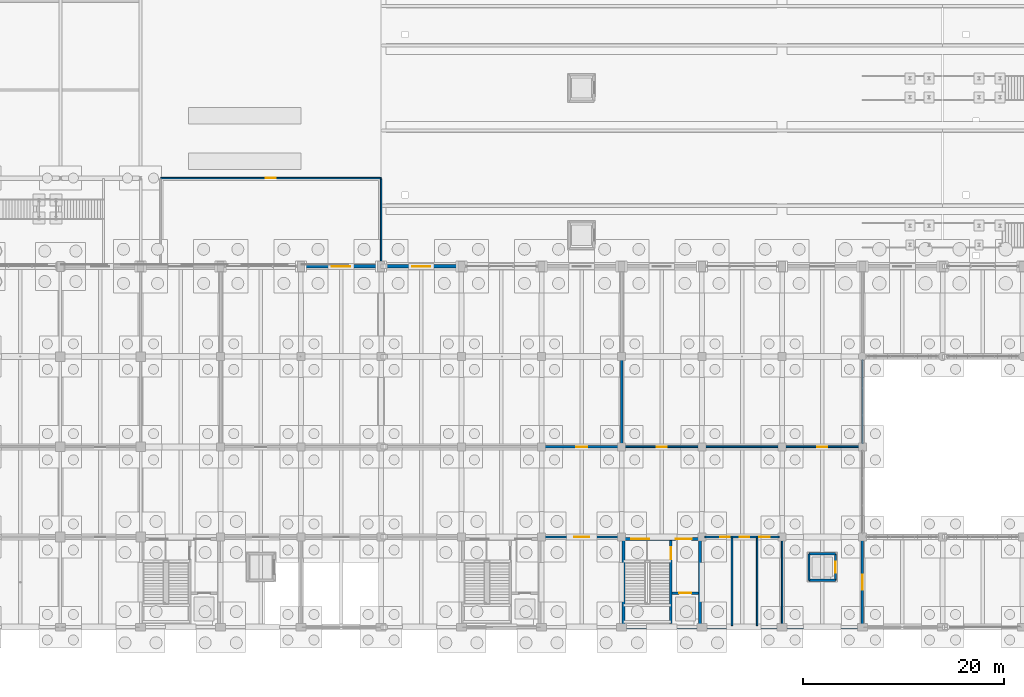
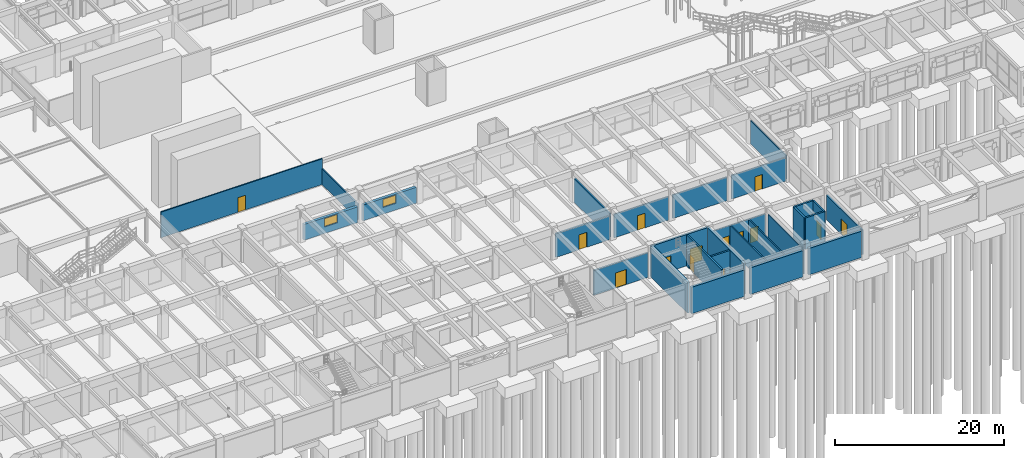
# One storey, part 103 of 147: 30 walls, 14 doors, 2 windows, 16 openings.
"""IFC4 building model written with IfcOpenShell, lengths in metres."""

from ifc_helpers import new_model, si_unit, direction, frame, frame_2d, origin, place, context, subcontext, project, spatial, rectangle, extrude, material, layer, layer_set, type_object, element, fill, save


model = new_model("IFC4")

# Units and contexts
model_context = context("Model", 3, precision=1e-05, world=origin(), true_north=direction((0.0, 1.0)))
body_context = subcontext(model_context, "Body", "Model", "MODEL_VIEW")
ifc_project = project(units=[si_unit("LENGTHUNIT", "METRE"), si_unit("AREAUNIT", "SQUARE_METRE"), si_unit("VOLUMEUNIT", "CUBIC_METRE"), si_unit("PLANEANGLEUNIT", "RADIAN"), si_unit("MASSUNIT", "GRAM", prefix="KILO")], contexts=[model_context])

# Site, building, storey
site_placement = place(None, origin())
site = spatial("IfcSite", under=ifc_project, at=site_placement, CompositionType="ELEMENT")
building_placement = place(site_placement, origin())
building = spatial("IfcBuilding", under=site, at=building_placement, Name="Varnabhumi Central Station", CompositionType="ELEMENT")
storey_placement = place(building_placement, origin())
storey = spatial("IfcBuildingStorey", under=building, at=storey_placement, Name="L00", CompositionType="ELEMENT", Elevation=0.0)

# Wall, opening, door
ifc_material_1 = material(Name="Autoclaved aerated blockwork masonry", Category="masonry")
ifc_layer_1 = layer(ifc_material_1, 0.219970703125, Name="Autoclaved aerated blockwork masonry", Category="masonry")
ifc_layer_set_1 = layer_set([ifc_layer_1], Name="Autoclaved aerated blockwork masonry")
wall_type_1 = type_object("IfcWallType", Name="WAL-COMP-AAC-220", PredefinedType="SOLIDWALL", material=ifc_layer_set_1)
wall_1_placement = place(storey_placement, frame((80.300048828125, 18.0, 0.0), z_axis=(0.0, 0.0, 1.0), x_axis=(1.0, 0.0, 0.0)))
wall_1 = element("IfcWall", 1, at=wall_1_placement, inside=storey, type_object=wall_type_1, Name="Inbound and Outbound Parcel Store Corridor Partition 5", PredefinedType="SOLIDWALL", context=body_context, shape_type="SweptSolid", body=[
    extrude(rectangle(XDim=7.39990234375, YDim=0.219970703125, at=frame_2d((3.699951171875, 0.0))), origin(), (0.0, 0.0, 1.0), 3.409912109375),
])
opening_1_placement = place(wall_1_placement, frame((3.14990234375, 0.0, 0.0)))
opening_1 = element("IfcOpeningElement", 2, at=opening_1_placement, cuts=wall_1, Name="Opening FD-60", PredefinedType="OPENING", context=body_context, shape_type="SweptSolid", body=[
    extrude(rectangle(XDim=1.10009765625, YDim=2.14990234375, at=frame_2d((0.550048828125, 1.074951171875))), frame((0.0, 0.119873046875, 0.0), z_axis=(0.0, -1.0, 0.0), x_axis=(1.0, 0.0, 0.0)), (0.0, 0.0, 1.0), 0.239990234375),
])
ifc_material_2 = material(Name="Intumescent-treated hardwood timber", Category="wood")
door_type_1 = type_object("IfcDoorType", Name="DR-FIRE-60-1100", OperationType="NOTDEFINED", PredefinedType="DOOR", material=ifc_material_2)
door_1_placement = place(opening_1_placement, frame((1.10009765625, 0.0, 0.0), z_axis=(0.0, 0.0, 1.0), x_axis=(-1.0, 0.0, 0.0)))
door_1 = element("IfcDoor", 3, at=door_1_placement, inside=storey, type_object=door_type_1, Name="Inbound and Outbound Parcel Store Door 5", OperationType="SINGLE_SWING_RIGHT", OverallHeight=2.14990234375, OverallWidth=1.10009765625, PredefinedType="DOOR", context=body_context, shape_type="SweptSolid", body=[
    extrude(rectangle(XDim=1.10009765625, YDim=2.14990234375, at=frame_2d((0.550048828125, 1.074951171875))), frame((0.0, 0.02490234375, 0.0), z_axis=(0.0, -1.0, 0.0), x_axis=(1.0, 0.0, 0.0)), (0.0, 0.0, 1.0), 0.050048828125),
])
fill(opening_1, door_1)

# Wall
wall_2_placement = place(storey_placement, frame((88.0, 18.300048828125, 0.0), z_axis=(0.0, 0.0, 1.0), x_axis=(0.0, 1.0, 0.0)))
element("IfcWall", 4, at=wall_2_placement, inside=storey, type_object=wall_type_1, Name="Inbound and Outbound Parcel Store W Partition 1", PredefinedType="SOLIDWALL", context=body_context, shape_type="SweptSolid", body=[
    extrude(rectangle(XDim=8.39990234375, YDim=0.219970703125, at=frame_2d((4.199951171875, 0.0))), origin(), (0.0, 0.0, 1.0), 3.409912109375),
])

# Wall, opening, door
wall_3_placement = place(storey_placement, frame((80.300048828125, 9.0, 0.0), z_axis=(0.0, 0.0, 1.0), x_axis=(1.0, 0.0, 0.0)))
wall_3 = element("IfcWall", 5, at=wall_3_placement, inside=storey, type_object=wall_type_1, Name="Fire and Domestic Water Pump Room Corridor Partition 1", PredefinedType="SOLIDWALL", context=body_context, shape_type="SweptSolid", body=[
    extrude(rectangle(XDim=7.39990234375, YDim=0.219970703125, at=frame_2d((3.699951171875, 0.0))), origin(), (0.0, 0.0, 1.0), 3.56005859375),
])
opening_2_placement = place(wall_3_placement, frame((2.949951171875, 0.0, 0.0)))
opening_2 = element("IfcOpeningElement", 6, at=opening_2_placement, cuts=wall_3, Name="Opening FD-PLT", PredefinedType="OPENING", context=body_context, shape_type="SweptSolid", body=[
    extrude(rectangle(XDim=1.5, YDim=2.199951171875, at=frame_2d((0.75, 1.10009765625))), frame((0.0, 0.119873046875, 0.0), z_axis=(0.0, -1.0, 0.0), x_axis=(1.0, 0.0, 0.0)), (0.0, 0.0, 1.0), 0.239990234375),
])
ifc_material_3 = material(Name="Stainless steel Grade 316", Category="steel")
door_type_2 = type_object("IfcDoorType", Name="DR-PLANT-1500", OperationType="NOTDEFINED", PredefinedType="DOOR", material=ifc_material_3)
door_2_placement = place(opening_2_placement, origin())
door_2 = element("IfcDoor", 7, at=door_2_placement, inside=storey, type_object=door_type_2, Name="Fire and Domestic Water Pump Room Door 1", OperationType="SINGLE_SWING_LEFT", OverallHeight=2.199951171875, OverallWidth=1.5, PredefinedType="DOOR", context=body_context, shape_type="SweptSolid", body=[
    extrude(rectangle(XDim=1.5, YDim=2.199951171875, at=frame_2d((0.75, 1.10009765625))), frame((0.0, 0.02490234375, 0.0), z_axis=(0.0, -1.0, 0.0), x_axis=(1.0, 0.0, 0.0)), (0.0, 0.0, 1.0), 0.050048828125),
])
fill(opening_2, door_2)

wall_4_placement = place(storey_placement, frame((112.0, 0.300048828125, 0.0), z_axis=(0.0, 0.0, 1.0), x_axis=(0.0, 1.0, 0.0)))
wall_4 = element("IfcWall", 8, at=wall_4_placement, inside=storey, type_object=wall_type_1, Name="Rainwater Filtration and STP Plant Room E Partition 1", PredefinedType="SOLIDWALL", context=body_context, shape_type="SweptSolid", body=[
    extrude(rectangle(XDim=8.39990234375, YDim=0.219970703125, at=frame_2d((4.199951171875, 0.0))), origin(), (0.0, 0.0, 1.0), 3.56005859375),
])
opening_3_placement = place(wall_4_placement, frame((3.449951171875, 0.0, 0.0)))
opening_3 = element("IfcOpeningElement", 9, at=opening_3_placement, cuts=wall_4, Name="Opening FD-PLT", PredefinedType="OPENING", context=body_context, shape_type="SweptSolid", body=[
    extrude(rectangle(XDim=1.5, YDim=2.199951171875, at=frame_2d((0.75, 1.10009765625))), frame((0.0, 0.119873046875, 0.0), z_axis=(0.0, -1.0, 0.0), x_axis=(1.0, 0.0, 0.0)), (0.0, 0.0, 1.0), 0.239990234375),
])
door_3_placement = place(opening_3_placement, frame((1.5, 0.0, 0.0), z_axis=(0.0, 0.0, 1.0), x_axis=(-1.0, 0.0, 0.0)))
door_3 = element("IfcDoor", 10, at=door_3_placement, inside=storey, type_object=door_type_2, Name="Rainwater Filtration and STP Plant Room Corridor Access Door", OperationType="DOUBLE_DOOR_SINGLE_SWING", OverallHeight=2.199951171875, OverallWidth=1.5, PredefinedType="DOOR", context=body_context, shape_type="SweptSolid", body=[
    extrude(rectangle(XDim=1.5, YDim=2.199951171875, at=frame_2d((0.75, 1.10009765625))), frame((0.0, 0.02490234375, 0.0), z_axis=(0.0, -1.0, 0.0), x_axis=(1.0, 0.0, 0.0)), (0.0, 0.0, 1.0), 0.050048828125),
])
fill(opening_3, door_3)

# Walls
ifc_material_4 = material(Name="Concrete M40", Category="concrete")
ifc_layer_2 = layer(ifc_material_4, 0.300048828125, Name="Concrete M40", Category="concrete")
ifc_layer_set_2 = layer_set([ifc_layer_2], Name="Concrete M40")
wall_type_2 = type_object("IfcWallType", Name="WAL-CORE-RC-300", PredefinedType="SHEAR", material=ifc_layer_set_2)
for number, where, z_axis, x_axis, name in (
    (11, (88.179931640625, 0.179931640625, 0.0), (0.0, 0.0, 1.0), (0.0, 1.0, 0.0), "SC2 L00 West Shear Wall"),
    (12, (95.820068359375, 0.179931640625, 0.0), (0.0, 0.0, 1.0), (0.0, 1.0, 0.0), "SC2 L00 East Shear Wall"),
):
    element("IfcWall", number, at=place(storey_placement, frame(where, z_axis=z_axis, x_axis=x_axis)), inside=storey, type_object=wall_type_2, Name=name, PredefinedType="SHEAR", context=body_context, shape_type="SweptSolid", body=[
        extrude(rectangle(XDim=8.64013671875, YDim=0.300048828125, at=frame_2d((4.320068359375, 0.0))), origin(), (0.0, 0.0, 1.0), 4.52001953125),
    ])

# Wall, openings, doors
wall_5_placement = place(storey_placement, frame((88.030029296875, 8.820068359375, 0.0), z_axis=(0.0, 0.0, 1.0), x_axis=(1.0, 0.0, 0.0)))
wall_5 = element("IfcWall", 13, at=wall_5_placement, inside=storey, type_object=wall_type_2, Name="SC2 L00 Corridor Shear Wall", PredefinedType="SHEAR", context=body_context, shape_type="SweptSolid", body=[
    extrude(rectangle(XDim=7.93994140625, YDim=0.300048828125, at=frame_2d((3.969970703125, 0.0))), origin(), (0.0, 0.0, 1.0), 4.52001953125),
])
opening_4_placement = place(wall_5_placement, frame((5.35009765625, 0.0, 0.0)))
opening_4 = element("IfcOpeningElement", 14, at=opening_4_placement, cuts=wall_5, Name="Opening FD-60D", PredefinedType="OPENING", context=body_context, shape_type="SweptSolid", body=[
    extrude(rectangle(XDim=1.60009765625, YDim=2.14990234375, at=frame_2d((0.800048828125, 1.074951171875))), frame((0.0, 0.159912109375, 0.0), z_axis=(0.0, -1.0, 0.0), x_axis=(1.0, 0.0, 0.0)), (0.0, 0.0, 1.0), 0.320068359375),
])
opening_5_placement = place(wall_5_placement, frame((0.89990234375, 0.0, 0.0)))
opening_5 = element("IfcOpeningElement", 15, at=opening_5_placement, cuts=wall_5, Name="Opening FD-120D", PredefinedType="OPENING", context=body_context, shape_type="SweptSolid", body=[
    extrude(rectangle(XDim=1.800048828125, YDim=2.199951171875, at=frame_2d((0.89990234375, 1.10009765625))), frame((0.0, 0.159912109375, 0.0), z_axis=(0.0, -1.0, 0.0), x_axis=(1.0, 0.0, 0.0)), (0.0, 0.0, 1.0), 0.320068359375),
])
door_type_3 = type_object("IfcDoorType", Name="DR-FIRE-120-1800", OperationType="NOTDEFINED", PredefinedType="DOOR", material=ifc_material_3)
door_4_placement = place(opening_5_placement, origin())
door_4 = element("IfcDoor", 16, at=door_4_placement, inside=storey, type_object=door_type_3, Name="ST-S2 L00 Discharge Door", OperationType="DOUBLE_DOOR_SINGLE_SWING", OverallHeight=2.199951171875, OverallWidth=1.800048828125, PredefinedType="DOOR", context=body_context, shape_type="SweptSolid", body=[
    extrude(rectangle(XDim=1.800048828125, YDim=2.199951171875, at=frame_2d((0.89990234375, 1.10009765625))), frame((0.0, 0.02490234375, 0.0), z_axis=(0.0, -1.0, 0.0), x_axis=(1.0, 0.0, 0.0)), (0.0, 0.0, 1.0), 0.050048828125),
])
fill(opening_5, door_4)
door_type_4 = type_object("IfcDoorType", Name="DR-FIRE-60-1600", OperationType="NOTDEFINED", PredefinedType="DOOR", material=ifc_material_2)
door_5_placement = place(opening_4_placement, origin())
door_5 = element("IfcDoor", 17, at=door_5_placement, inside=storey, type_object=door_type_4, Name="SC2 L00 Lobby Fire Door", OperationType="DOUBLE_DOOR_SINGLE_SWING", OverallHeight=2.14990234375, OverallWidth=1.60009765625, PredefinedType="DOOR", context=body_context, shape_type="SweptSolid", body=[
    extrude(rectangle(XDim=1.60009765625, YDim=2.14990234375, at=frame_2d((0.800048828125, 1.074951171875))), frame((0.0, 0.02490234375, 0.0), z_axis=(0.0, -1.0, 0.0), x_axis=(1.0, 0.0, 0.0)), (0.0, 0.0, 1.0), 0.050048828125),
])
fill(opening_4, door_5)

# Wall, opening, window
ifc_material_5 = material(Name="Chunar sandstone masonry", Category="masonry")
ifc_layer_3 = layer(ifc_material_5, 0.360107421875, Name="Chunar sandstone masonry", Category="masonry")
ifc_layer_set_3 = layer_set([ifc_layer_3], Name="Chunar sandstone masonry")
wall_type_3 = type_object("IfcWallType", Name="WAL-EXT-SANDSTONE-360", PredefinedType="SOLIDWALL", material=ifc_layer_set_3)
wall_6_placement = place(storey_placement, frame((56.344970703125, 36.0, 0.0), z_axis=(0.0, 0.0, 1.0), x_axis=(1.0, 0.0, 0.0)))
wall_6 = element("IfcWall", 18, at=wall_6_placement, inside=storey, type_object=wall_type_3, Name="South Spine Wall L00-8", PredefinedType="SOLIDWALL", context=body_context, shape_type="SweptSolid", body=[
    extrude(rectangle(XDim=7.31005859375, YDim=0.360107421875, at=frame_2d((3.655029296875, 0.0))), origin(), (0.0, 0.0, 1.0), 2.280029296875),
])
opening_6_placement = place(wall_6_placement, frame((2.7548828125, 0.0, 0.949951171875)))
opening_6 = element("IfcOpeningElement", 19, at=opening_6_placement, cuts=wall_6, Name="Opening W-02", PredefinedType="OPENING", context=body_context, shape_type="SweptSolid", body=[
    extrude(rectangle(XDim=1.800048828125, YDim=1.18994140625, at=frame_2d((0.89990234375, 0.594970703125))), frame((0.0, 0.18994140625, 0.0), z_axis=(0.0, -1.0, 0.0), x_axis=(1.0, 0.0, 0.0)), (0.0, 0.0, 1.0), 0.380126953125),
])
ifc_material_6 = material(Name="Laminated low-E double glazing", Category="glass")
window_type = type_object("IfcWindowType", Name="WIN-ARCADE-1800x2600", PartitioningType="DOUBLE_PANEL_VERTICAL", PredefinedType="WINDOW", material=ifc_material_6)
window_1_placement = place(opening_6_placement, origin())
window_1 = element("IfcWindow", 20, at=window_1_placement, inside=storey, type_object=window_type, Name="South Spine Overlook Window L00-8", OverallHeight=1.18994140625, OverallWidth=1.800048828125, PartitioningType="SINGLE_PANEL", PredefinedType="WINDOW", context=body_context, shape_type="SweptSolid", body=[
    extrude(rectangle(XDim=1.800048828125, YDim=1.18994140625, at=frame_2d((0.89990234375, 0.594970703125))), frame((0.0, 0.030029296875, 0.0), z_axis=(0.0, -1.0, 0.0), x_axis=(1.0, 0.0, 0.0)), (0.0, 0.0, 1.0), 0.06005859375),
])
fill(opening_6, window_1)

wall_7_placement = place(storey_placement, frame((64.344970703125, 36.0, 0.0), z_axis=(0.0, 0.0, 1.0), x_axis=(1.0, 0.0, 0.0)))
wall_7 = element("IfcWall", 21, at=wall_7_placement, inside=storey, type_object=wall_type_3, Name="South Spine Wall L00-9", PredefinedType="SOLIDWALL", context=body_context, shape_type="SweptSolid", body=[
    extrude(rectangle(XDim=7.31005859375, YDim=0.360107421875, at=frame_2d((3.655029296875, 0.0))), origin(), (0.0, 0.0, 1.0), 2.280029296875),
])
opening_7_placement = place(wall_7_placement, frame((2.7548828125, 0.0, 0.949951171875)))
opening_7 = element("IfcOpeningElement", 22, at=opening_7_placement, cuts=wall_7, Name="Opening W-02", PredefinedType="OPENING", context=body_context, shape_type="SweptSolid", body=[
    extrude(rectangle(XDim=1.800048828125, YDim=1.18994140625, at=frame_2d((0.89990234375, 0.594970703125))), frame((0.0, 0.18994140625, 0.0), z_axis=(0.0, -1.0, 0.0), x_axis=(1.0, 0.0, 0.0)), (0.0, 0.0, 1.0), 0.380126953125),
])
window_2_placement = place(opening_7_placement, origin())
window_2 = element("IfcWindow", 23, at=window_2_placement, inside=storey, type_object=window_type, Name="South Spine Overlook Window L00-9", OverallHeight=1.18994140625, OverallWidth=1.800048828125, PartitioningType="SINGLE_PANEL", PredefinedType="WINDOW", context=body_context, shape_type="SweptSolid", body=[
    extrude(rectangle(XDim=1.800048828125, YDim=1.18994140625, at=frame_2d((0.89990234375, 0.594970703125))), frame((0.0, 0.030029296875, 0.0), z_axis=(0.0, -1.0, 0.0), x_axis=(1.0, 0.0, 0.0)), (0.0, 0.0, 1.0), 0.06005859375),
])
fill(opening_7, window_2)

# Wall, opening, door
ifc_layer_4 = layer(ifc_material_1, 0.159912109375, Name="Autoclaved aerated blockwork masonry", Category="masonry")
ifc_layer_set_4 = layer_set([ifc_layer_4], Name="Autoclaved aerated blockwork masonry")
wall_type_4 = type_object("IfcWallType", Name="WAL-PART-AAC-160", PredefinedType="PARTITIONING", material=ifc_layer_set_4)
wall_8_placement = place(storey_placement, frame((42.0, 44.800048828125, 0.0), z_axis=(0.0, 0.0, 1.0), x_axis=(1.0, 0.0, 0.0)))
wall_8 = element("IfcWall", 24, at=wall_8_placement, inside=storey, type_object=wall_type_4, Name="Reserved and Unreserved Booking Counters Corridor Partition 1", PredefinedType="PARTITIONING", context=body_context, shape_type="SweptSolid", body=[
    extrude(rectangle(XDim=22.0, YDim=0.159912109375, at=frame_2d((11.0, 0.0))), origin(), (0.0, 0.0, 1.0), 3.699951171875),
])
opening_8_placement = place(wall_8_placement, frame((10.5, 0.0, 0.0)))
opening_8 = element("IfcOpeningElement", 25, at=opening_8_placement, cuts=wall_8, Name="Opening D-01", PredefinedType="OPENING", context=body_context, shape_type="SweptSolid", body=[
    extrude(rectangle(XDim=1.0, YDim=2.10009765625, at=frame_2d((0.5, 1.050048828125))), frame((0.0, 0.08984375, 0.0), z_axis=(0.0, -1.0, 0.0), x_axis=(1.0, 0.0, 0.0)), (0.0, 0.0, 1.0), 0.179931640625),
])
door_type_5 = type_object("IfcDoorType", Name="DR-ROOM-1000", OperationType="NOTDEFINED", PredefinedType="DOOR", material=ifc_material_2)
door_6_placement = place(opening_8_placement, origin())
door_6 = element("IfcDoor", 26, at=door_6_placement, inside=storey, type_object=door_type_5, Name="Reserved and Unreserved Booking Counters Door 1", OperationType="SINGLE_SWING_RIGHT", OverallHeight=2.10009765625, OverallWidth=1.0, PredefinedType="DOOR", context=body_context, shape_type="SweptSolid", body=[
    extrude(rectangle(XDim=1.0, YDim=2.10009765625, at=frame_2d((0.5, 1.050048828125))), frame((0.0, 0.02490234375, 0.0), z_axis=(0.0, -1.0, 0.0), x_axis=(1.0, 0.0, 0.0)), (0.0, 0.0, 1.0), 0.050048828125),
])
fill(opening_8, door_6)

# Wall
wall_9_placement = place(storey_placement, frame((64.0, 36.300048828125, 0.0), z_axis=(0.0, 0.0, 1.0), x_axis=(0.0, 1.0, 0.0)))
element("IfcWall", 27, at=wall_9_placement, inside=storey, type_object=wall_type_4, Name="Reserved and Unreserved Booking Counters W Partition 1", PredefinedType="PARTITIONING", context=body_context, shape_type="SweptSolid", body=[
    extrude(rectangle(XDim=8.419921875, YDim=0.159912109375, at=frame_2d((4.2099609375, 0.0))), origin(), (0.0, 0.0, 1.0), 2.280029296875),
])

# Wall, opening, door
wall_10_placement = place(storey_placement, frame((96.300048828125, 9.0, 0.0), z_axis=(0.0, 0.0, 1.0), x_axis=(1.0, 0.0, 0.0)))
wall_10 = element("IfcWall", 28, at=wall_10_placement, inside=storey, type_object=wall_type_4, Name="Staff Male WC L00 South Corridor Partition 1", PredefinedType="PARTITIONING", context=body_context, shape_type="SweptSolid", body=[
    extrude(rectangle(XDim=2.699951171875, YDim=0.159912109375, at=frame_2d((1.35009765625, 0.0))), origin(), (0.0, 0.0, 1.0), 3.56005859375),
])
opening_9_placement = place(wall_10_placement, frame((1.550048828125, 0.0, 0.0)))
opening_9 = element("IfcOpeningElement", 29, at=opening_9_placement, cuts=wall_10, Name="Opening D-04", PredefinedType="OPENING", context=body_context, shape_type="SweptSolid", body=[
    extrude(rectangle(XDim=0.949951171875, YDim=2.10009765625, at=frame_2d((0.47509765625, 1.050048828125))), frame((0.0, 0.08984375, 0.0), z_axis=(0.0, -1.0, 0.0), x_axis=(1.0, 0.0, 0.0)), (0.0, 0.0, 1.0), 0.179931640625),
])
door_type_6 = type_object("IfcDoorType", Name="DR-WC-950", OperationType="NOTDEFINED", PredefinedType="DOOR", material=ifc_material_2)
door_7_placement = place(opening_9_placement, origin())
door_7 = element("IfcDoor", 30, at=door_7_placement, inside=storey, type_object=door_type_6, Name="Staff Male WC L00 South Door 1", OperationType="SINGLE_SWING_RIGHT", OverallHeight=2.10009765625, OverallWidth=0.949951171875, PredefinedType="DOOR", context=body_context, shape_type="SweptSolid", body=[
    extrude(rectangle(XDim=0.949951171875, YDim=2.10009765625, at=frame_2d((0.47509765625, 1.050048828125))), frame((0.0, 0.02490234375, 0.0), z_axis=(0.0, -1.0, 0.0), x_axis=(1.0, 0.0, 0.0)), (0.0, 0.0, 1.0), 0.050048828125),
])
fill(opening_9, door_7)

# Wall
wall_11_placement = place(storey_placement, frame((99.0, 0.159912109375, 0.0), z_axis=(0.0, 0.0, 1.0), x_axis=(0.0, 1.0, 0.0)))
element("IfcWall", 31, at=wall_11_placement, inside=storey, type_object=wall_type_4, Name="Staff Male WC L00 South W Partition 1", PredefinedType="PARTITIONING", context=body_context, shape_type="SweptSolid", body=[
    extrude(rectangle(XDim=8.760009765625, YDim=0.159912109375, at=frame_2d((4.3798828125, 0.0))), origin(), (0.0, 0.0, 1.0), 3.56005859375),
])

# Wall, opening, door
wall_12_placement = place(storey_placement, frame((99.0, 9.0, 0.0), z_axis=(0.0, 0.0, 1.0), x_axis=(1.0, 0.0, 0.0)))
wall_12 = element("IfcWall", 32, at=wall_12_placement, inside=storey, type_object=wall_type_4, Name="Staff Female WC L00 South Corridor Partition 1", PredefinedType="PARTITIONING", context=body_context, shape_type="SweptSolid", body=[
    extrude(rectangle(XDim=2.5, YDim=0.159912109375, at=frame_2d((1.25, 0.0))), origin(), (0.0, 0.0, 1.0), 3.56005859375),
])
opening_10_placement = place(wall_12_placement, frame((0.77490234375, 0.0, 0.0)))
opening_10 = element("IfcOpeningElement", 33, at=opening_10_placement, cuts=wall_12, Name="Opening D-04", PredefinedType="OPENING", context=body_context, shape_type="SweptSolid", body=[
    extrude(rectangle(XDim=0.949951171875, YDim=2.10009765625, at=frame_2d((0.47509765625, 1.050048828125))), frame((0.0, 0.08984375, 0.0), z_axis=(0.0, -1.0, 0.0), x_axis=(1.0, 0.0, 0.0)), (0.0, 0.0, 1.0), 0.179931640625),
])
door_8_placement = place(opening_10_placement, origin())
door_8 = element("IfcDoor", 34, at=door_8_placement, inside=storey, type_object=door_type_6, Name="Staff Female WC L00 South Door 1", OperationType="SINGLE_SWING_LEFT", OverallHeight=2.10009765625, OverallWidth=0.949951171875, PredefinedType="DOOR", context=body_context, shape_type="SweptSolid", body=[
    extrude(rectangle(XDim=0.949951171875, YDim=2.10009765625, at=frame_2d((0.47509765625, 1.050048828125))), frame((0.0, 0.02490234375, 0.0), z_axis=(0.0, -1.0, 0.0), x_axis=(1.0, 0.0, 0.0)), (0.0, 0.0, 1.0), 0.050048828125),
])
fill(opening_10, door_8)

# Wall
wall_13_placement = place(storey_placement, frame((101.5, 0.159912109375, 0.0), z_axis=(0.0, 0.0, 1.0), x_axis=(0.0, 1.0, 0.0)))
element("IfcWall", 35, at=wall_13_placement, inside=storey, type_object=wall_type_4, Name="Staff Female WC L00 South W Partition 1", PredefinedType="PARTITIONING", context=body_context, shape_type="SweptSolid", body=[
    extrude(rectangle(XDim=8.760009765625, YDim=0.159912109375, at=frame_2d((4.3798828125, 0.0))), origin(), (0.0, 0.0, 1.0), 3.56005859375),
])

# Wall, opening, door
wall_14_placement = place(storey_placement, frame((101.5, 9.0, 0.0), z_axis=(0.0, 0.0, 1.0), x_axis=(1.0, 0.0, 0.0)))
wall_14 = element("IfcWall", 36, at=wall_14_placement, inside=storey, type_object=wall_type_4, Name="Accessible WC L00 South Corridor Partition 1", PredefinedType="PARTITIONING", context=body_context, shape_type="SweptSolid", body=[
    extrude(rectangle(XDim=2.199951171875, YDim=0.159912109375, at=frame_2d((1.10009765625, 0.0))), origin(), (0.0, 0.0, 1.0), 3.56005859375),
])
opening_11_placement = place(wall_14_placement, frame((0.199951171875, 0.0, 0.0)))
opening_11 = element("IfcOpeningElement", 37, at=opening_11_placement, cuts=wall_14, Name="Opening D-05", PredefinedType="OPENING", context=body_context, shape_type="SweptSolid", body=[
    extrude(rectangle(XDim=1.050048828125, YDim=2.10009765625, at=frame_2d((0.52490234375, 1.050048828125))), frame((0.0, 0.08984375, 0.0), z_axis=(0.0, -1.0, 0.0), x_axis=(1.0, 0.0, 0.0)), (0.0, 0.0, 1.0), 0.179931640625),
])
door_type_7 = type_object("IfcDoorType", Name="DR-ACC-WC-1050", OperationType="NOTDEFINED", PredefinedType="DOOR", material=ifc_material_2)
door_9_placement = place(opening_11_placement, origin())
door_9 = element("IfcDoor", 38, at=door_9_placement, inside=storey, type_object=door_type_7, Name="Accessible WC L00 South Door 1", OperationType="SINGLE_SWING_RIGHT", OverallHeight=2.10009765625, OverallWidth=1.050048828125, PredefinedType="DOOR", context=body_context, shape_type="SweptSolid", body=[
    extrude(rectangle(XDim=1.050048828125, YDim=2.10009765625, at=frame_2d((0.52490234375, 1.050048828125))), frame((0.0, 0.02490234375, 0.0), z_axis=(0.0, -1.0, 0.0), x_axis=(1.0, 0.0, 0.0)), (0.0, 0.0, 1.0), 0.050048828125),
])
fill(opening_11, door_9)

# Wall
wall_15_placement = place(storey_placement, frame((104.0, 0.300048828125, 0.0), z_axis=(0.0, 0.0, 1.0), x_axis=(0.0, 1.0, 0.0)))
element("IfcWall", 39, at=wall_15_placement, inside=storey, type_object=wall_type_4, Name="Accessible WC L00 South W Partition 1", PredefinedType="PARTITIONING", context=body_context, shape_type="SweptSolid", body=[
    extrude(rectangle(XDim=8.39990234375, YDim=0.159912109375, at=frame_2d((4.199951171875, 0.0))), origin(), (0.0, 0.0, 1.0), 3.56005859375),
])

# Wall, opening, door
wall_16_placement = place(storey_placement, frame((88.300048828125, 18.0, 0.0), z_axis=(0.0, 0.0, 1.0), x_axis=(1.0, 0.0, 0.0)))
wall_16 = element("IfcWall", 40, at=wall_16_placement, inside=storey, type_object=wall_type_4, Name="Oversize Baggage Screening Room Corridor Partition 1", PredefinedType="PARTITIONING", context=body_context, shape_type="SweptSolid", body=[
    extrude(rectangle(XDim=7.39990234375, YDim=0.159912109375, at=frame_2d((3.699951171875, 0.0))), origin(), (0.0, 0.0, 1.0), 3.409912109375),
])
opening_12_placement = place(wall_16_placement, frame((3.199951171875, 0.0, 0.0)))
opening_12 = element("IfcOpeningElement", 41, at=opening_12_placement, cuts=wall_16, Name="Opening D-01", PredefinedType="OPENING", context=body_context, shape_type="SweptSolid", body=[
    extrude(rectangle(XDim=1.0, YDim=2.10009765625, at=frame_2d((0.5, 1.050048828125))), frame((0.0, 0.08984375, 0.0), z_axis=(0.0, -1.0, 0.0), x_axis=(1.0, 0.0, 0.0)), (0.0, 0.0, 1.0), 0.179931640625),
])
door_10_placement = place(opening_12_placement, frame((1.0, 0.0, 0.0), z_axis=(0.0, 0.0, 1.0), x_axis=(-1.0, 0.0, 0.0)))
door_10 = element("IfcDoor", 42, at=door_10_placement, inside=storey, type_object=door_type_5, Name="Oversize Baggage Screening Room Door 1", OperationType="SINGLE_SWING_LEFT", OverallHeight=2.10009765625, OverallWidth=1.0, PredefinedType="DOOR", context=body_context, shape_type="SweptSolid", body=[
    extrude(rectangle(XDim=1.0, YDim=2.10009765625, at=frame_2d((0.5, 1.050048828125))), frame((0.0, 0.02490234375, 0.0), z_axis=(0.0, -1.0, 0.0), x_axis=(1.0, 0.0, 0.0)), (0.0, 0.0, 1.0), 0.050048828125),
])
fill(opening_12, door_10)

# Wall
wall_17_placement = place(storey_placement, frame((96.300048828125, 18.0, 0.0), z_axis=(0.0, 0.0, 1.0), x_axis=(1.0, 0.0, 0.0)))
element("IfcWall", 43, at=wall_17_placement, inside=storey, type_object=wall_type_4, Name="Oversize Baggage Screening Room Corridor Partition 2", PredefinedType="PARTITIONING", context=body_context, shape_type="SweptSolid", body=[
    extrude(rectangle(XDim=7.39990234375, YDim=0.159912109375, at=frame_2d((3.699951171875, 0.0))), origin(), (0.0, 0.0, 1.0), 3.409912109375),
])

# Wall, opening, door
wall_18_placement = place(storey_placement, frame((104.300048828125, 18.0, 0.0), z_axis=(0.0, 0.0, 1.0), x_axis=(1.0, 0.0, 0.0)))
wall_18 = element("IfcWall", 44, at=wall_18_placement, inside=storey, type_object=wall_type_4, Name="Oversize Baggage Screening Room Corridor Partition 3", PredefinedType="PARTITIONING", context=body_context, shape_type="SweptSolid", body=[
    extrude(rectangle(XDim=7.39990234375, YDim=0.159912109375, at=frame_2d((3.699951171875, 0.0))), origin(), (0.0, 0.0, 1.0), 3.409912109375),
])
opening_13_placement = place(wall_18_placement, frame((3.199951171875, 0.0, 0.0)))
opening_13 = element("IfcOpeningElement", 45, at=opening_13_placement, cuts=wall_18, Name="Opening D-01", PredefinedType="OPENING", context=body_context, shape_type="SweptSolid", body=[
    extrude(rectangle(XDim=1.0, YDim=2.10009765625, at=frame_2d((0.5, 1.050048828125))), frame((0.0, 0.08984375, 0.0), z_axis=(0.0, -1.0, 0.0), x_axis=(1.0, 0.0, 0.0)), (0.0, 0.0, 1.0), 0.179931640625),
])
door_11_placement = place(opening_13_placement, frame((1.0, 0.0, 0.0), z_axis=(0.0, 0.0, 1.0), x_axis=(-1.0, 0.0, 0.0)))
door_11 = element("IfcDoor", 46, at=door_11_placement, inside=storey, type_object=door_type_5, Name="Oversize Baggage Screening Room Door 3", OperationType="SINGLE_SWING_RIGHT", OverallHeight=2.10009765625, OverallWidth=1.0, PredefinedType="DOOR", context=body_context, shape_type="SweptSolid", body=[
    extrude(rectangle(XDim=1.0, YDim=2.10009765625, at=frame_2d((0.5, 1.050048828125))), frame((0.0, 0.02490234375, 0.0), z_axis=(0.0, -1.0, 0.0), x_axis=(1.0, 0.0, 0.0)), (0.0, 0.0, 1.0), 0.050048828125),
])
fill(opening_13, door_11)

# Wall
wall_19_placement = place(storey_placement, frame((112.0, 18.300048828125, 0.0), z_axis=(0.0, 0.0, 1.0), x_axis=(0.0, 1.0, 0.0)))
element("IfcWall", 47, at=wall_19_placement, inside=storey, type_object=wall_type_4, Name="Oversize Baggage Screening Room W Partition 1", PredefinedType="PARTITIONING", context=body_context, shape_type="SweptSolid", body=[
    extrude(rectangle(XDim=8.39990234375, YDim=0.159912109375, at=frame_2d((4.199951171875, 0.0))), origin(), (0.0, 0.0, 1.0), 3.409912109375),
])

# Wall, opening, door
ifc_layer_5 = layer(ifc_material_4, 0.239990234375, Name="Concrete M40", Category="concrete")
ifc_layer_set_5 = layer_set([ifc_layer_5], Name="Concrete M40")
wall_type_5 = type_object("IfcWallType", Name="WAL-SHAFT-RC-240", PredefinedType="SHEAR", material=ifc_layer_set_5)
wall_20_placement = place(storey_placement, frame((92.89990234375, 0.35009765625, 0.0), z_axis=(0.0, 0.0, 1.0), x_axis=(0.0, 1.0, 0.0)))
wall_20 = element("IfcWall", 48, at=wall_20_placement, inside=storey, type_object=wall_type_5, Name="SC2 L00 Stair-Lobby Divider Wall", PredefinedType="SHEAR", context=body_context, shape_type="SweptSolid", body=[
    extrude(rectangle(XDim=8.2998046875, YDim=0.239990234375, at=frame_2d((4.14990234375, 0.0))), origin(), (0.0, 0.0, 1.0), 4.52001953125),
])
opening_14_placement = place(wall_20_placement, frame((6.449951171875, 0.0, 0.0)))
opening_14 = element("IfcOpeningElement", 49, at=opening_14_placement, cuts=wall_20, Name="Opening FD-120", PredefinedType="OPENING", context=body_context, shape_type="SweptSolid", body=[
    extrude(rectangle(XDim=1.199951171875, YDim=2.14990234375, at=frame_2d((0.60009765625, 1.074951171875))), frame((0.0, 0.1298828125, 0.0), z_axis=(0.0, -1.0, 0.0), x_axis=(1.0, 0.0, 0.0)), (0.0, 0.0, 1.0), 0.260009765625),
])
door_type_8 = type_object("IfcDoorType", Name="DR-FIRE-120-1200", OperationType="NOTDEFINED", PredefinedType="DOOR", material=ifc_material_3)
door_12_placement = place(opening_14_placement, frame((1.199951171875, 0.0, 0.0), z_axis=(0.0, 0.0, 1.0), x_axis=(-1.0, 0.0, 0.0)))
door_12 = element("IfcDoor", 50, at=door_12_placement, inside=storey, type_object=door_type_8, Name="ST-S2 L00 Fire Door", OperationType="SINGLE_SWING_LEFT", OverallHeight=2.14990234375, OverallWidth=1.199951171875, PredefinedType="DOOR", context=body_context, shape_type="SweptSolid", body=[
    extrude(rectangle(XDim=1.199951171875, YDim=2.14990234375, at=frame_2d((0.60009765625, 1.074951171875))), frame((0.0, 0.02490234375, 0.0), z_axis=(0.0, -1.0, 0.0), x_axis=(1.0, 0.0, 0.0)), (0.0, 0.0, 1.0), 0.050048828125),
])
fill(opening_14, door_12)

wall_21_placement = place(storey_placement, frame((93.02001953125, 3.39990234375, 0.0), z_axis=(0.0, 0.0, 1.0), x_axis=(1.0, 0.0, 0.0)))
wall_21 = element("IfcWall", 51, at=wall_21_placement, inside=storey, type_object=wall_type_5, Name="FL-2 L00 Lift Shaft Front Wall", PredefinedType="SHEAR", context=body_context, shape_type="SweptSolid", body=[
    extrude(rectangle(XDim=2.6298828125, YDim=0.239990234375, at=frame_2d((1.31494140625, 0.0))), origin(), (0.0, 0.0, 1.0), 4.52001953125),
])
opening_15_placement = place(wall_21_placement, frame((0.715087890625, 0.0, 0.0)))
opening_15 = element("IfcOpeningElement", 52, at=opening_15_placement, cuts=wall_21, Name="Opening LD-FL-2", PredefinedType="OPENING", context=body_context, shape_type="SweptSolid", body=[
    extrude(rectangle(XDim=1.199951171875, YDim=2.14990234375, at=frame_2d((0.60009765625, 1.074951171875))), frame((0.0, 0.1298828125, 0.0), z_axis=(0.0, -1.0, 0.0), x_axis=(1.0, 0.0, 0.0)), (0.0, 0.0, 1.0), 0.260009765625),
])
door_type_9 = type_object("IfcDoorType", Name="DR-LIFT-FIRE-1200", OperationType="NOTDEFINED", PredefinedType="DOOR", material=ifc_material_3)
door_13_placement = place(opening_15_placement, origin())
door_13 = element("IfcDoor", 53, at=door_13_placement, inside=storey, type_object=door_type_9, Name="Lift Landing Door FL-2 L00", OperationType="DOUBLE_DOOR_SLIDING", OverallHeight=2.14990234375, OverallWidth=1.199951171875, PredefinedType="DOOR", context=body_context, shape_type="SweptSolid", body=[
    extrude(rectangle(XDim=1.199951171875, YDim=2.14990234375, at=frame_2d((0.60009765625, 1.074951171875))), frame((0.0, 0.02490234375, 0.0), z_axis=(0.0, -1.0, 0.0), x_axis=(1.0, 0.0, 0.0)), (0.0, 0.0, 1.0), 0.050048828125),
])
fill(opening_15, door_13)

# Walls
for number, where, z_axis, x_axis, name in (
    (54, (106.679931640625, 4.679931640625, 0.0), (0.0, 0.0, 1.0), (0.0, 1.0, 0.0), "PL-8 L00 Shaft West Wall"),
    (55, (106.679931640625, 4.679931640625, 0.0), (0.0, 0.0, 1.0), (1.0, 0.0, 0.0), "PL-8 L00 Shaft South Wall"),
    (56, (106.679931640625, 7.320068359375, 0.0), (0.0, 0.0, 1.0), (1.0, 0.0, 0.0), "PL-8 L00 Shaft North Wall"),
):
    element("IfcWall", number, at=place(storey_placement, frame(where, z_axis=z_axis, x_axis=x_axis)), inside=storey, type_object=wall_type_5, Name=name, PredefinedType="SHEAR", context=body_context, shape_type="SweptSolid", body=[
        extrude(rectangle(XDim=2.64013671875, YDim=0.239990234375, at=frame_2d((1.320068359375, 0.0))), origin(), (0.0, 0.0, 1.0), 4.550048828125),
    ])

# Wall, opening, door
wall_22_placement = place(storey_placement, frame((109.320068359375, 4.679931640625, 0.0), z_axis=(0.0, 0.0, 1.0), x_axis=(0.0, 1.0, 0.0)))
wall_22 = element("IfcWall", 57, at=wall_22_placement, inside=storey, type_object=wall_type_5, Name="PL-8 L00 Shaft Front Wall", PredefinedType="SHEAR", context=body_context, shape_type="SweptSolid", body=[
    extrude(rectangle(XDim=2.64013671875, YDim=0.239990234375, at=frame_2d((1.320068359375, 0.0))), origin(), (0.0, 0.0, 1.0), 4.550048828125),
])
opening_16_placement = place(wall_22_placement, frame((0.77001953125, 0.0, 0.0)))
opening_16 = element("IfcOpeningElement", 58, at=opening_16_placement, cuts=wall_22, Name="Opening LD-PL-8", PredefinedType="OPENING", context=body_context, shape_type="SweptSolid", body=[
    extrude(rectangle(XDim=1.10009765625, YDim=2.14990234375, at=frame_2d((0.550048828125, 1.074951171875))), frame((0.0, 0.1298828125, 0.0), z_axis=(0.0, -1.0, 0.0), x_axis=(1.0, 0.0, 0.0)), (0.0, 0.0, 1.0), 0.260009765625),
])
door_type_10 = type_object("IfcDoorType", Name="DR-LIFT-PASS-1100", OperationType="NOTDEFINED", PredefinedType="DOOR", material=ifc_material_3)
door_14_placement = place(opening_16_placement, origin())
door_14 = element("IfcDoor", 59, at=door_14_placement, inside=storey, type_object=door_type_10, Name="Lift Landing Door PL-8 L00", OperationType="DOUBLE_DOOR_SLIDING", OverallHeight=2.14990234375, OverallWidth=1.10009765625, PredefinedType="DOOR", context=body_context, shape_type="SweptSolid", body=[
    extrude(rectangle(XDim=1.10009765625, YDim=2.14990234375, at=frame_2d((0.550048828125, 1.074951171875))), frame((0.0, 0.02490234375, 0.0), z_axis=(0.0, -1.0, 0.0), x_axis=(1.0, 0.0, 0.0)), (0.0, 0.0, 1.0), 0.050048828125),
])
fill(opening_16, door_14)

# Walls
ifc_layer_6 = layer(ifc_material_4, 0.340087890625, Name="Concrete M40", Category="concrete")
ifc_layer_set_6 = layer_set([ifc_layer_6], Name="Concrete M40")
wall_type_6 = type_object("IfcWallType", Name="WAL-SOUTH-FIRE-340", PredefinedType="SOLIDWALL", material=ifc_layer_set_6)
for number, where, z_axis, x_axis, name in (
    (60, (88.39990234375, 0.0, 0.0), (0.0, 0.0, 1.0), (1.0, 0.0, 0.0), "South Infill Boundary Fire Wall L00-12"),
    (61, (96.39990234375, 0.0, 0.0), (0.0, 0.0, 1.0), (1.0, 0.0, 0.0), "South Infill Boundary Fire Wall L00-13"),
    (62, (104.39990234375, 0.0, 0.0), (0.0, 0.0, 1.0), (1.0, 0.0, 0.0), "South Infill Boundary Fire Wall L00-14"),
):
    element("IfcWall", number, at=place(storey_placement, frame(where, z_axis=z_axis, x_axis=x_axis)), inside=storey, type_object=wall_type_6, Name=name, PredefinedType="SOLIDWALL", context=body_context, shape_type="SweptSolid", body=[
        extrude(rectangle(XDim=7.2001953125, YDim=0.340087890625, at=frame_2d((3.60009765625, 0.0))), origin(), (0.0, 0.0, 1.0), 3.81005859375),
    ])

save(model, "model.ifc")
